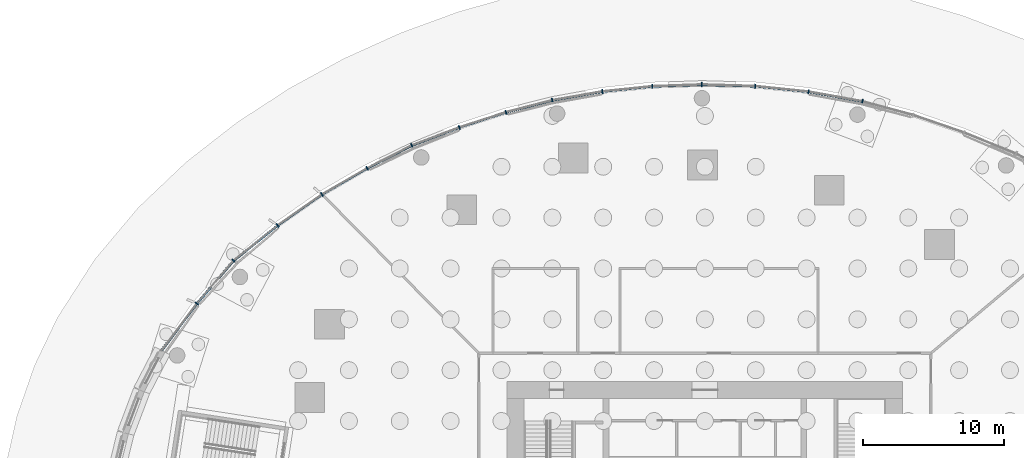
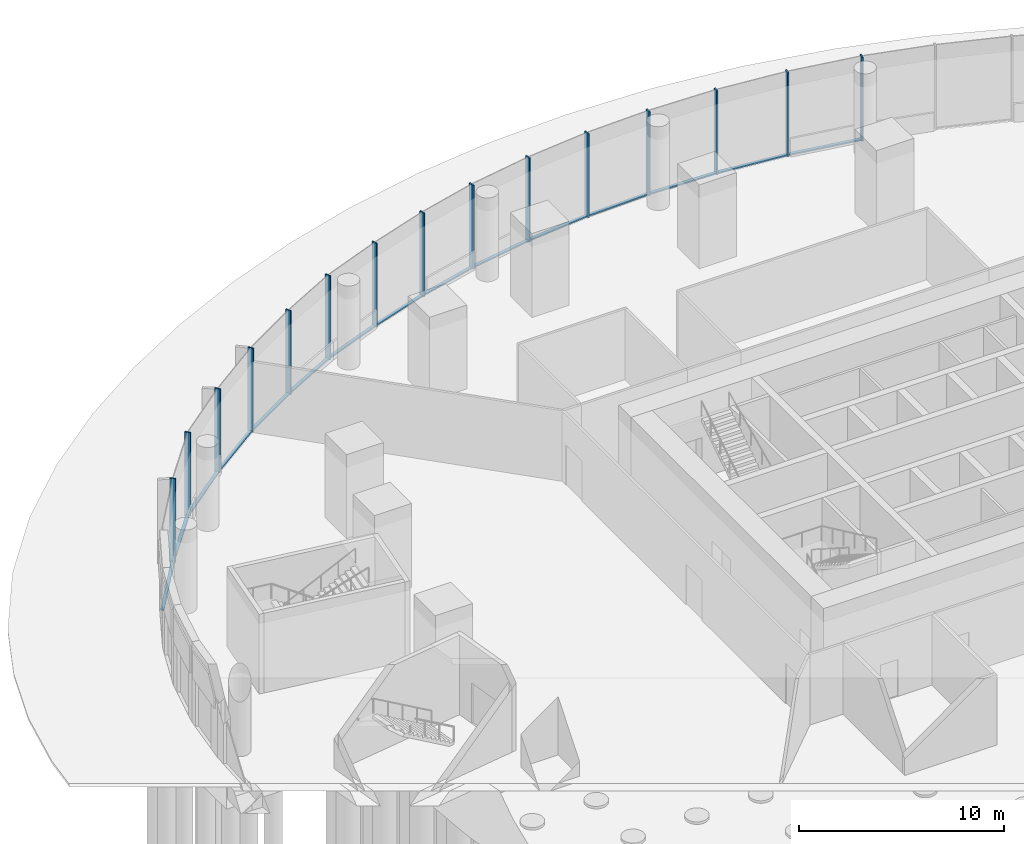
# One storey, part 5 of 29: 30 members, 5 elements without a shape of their own.
"""IFC4 building model written with IfcOpenShell, lengths in metres."""

import ifcopenshell
import ifcopenshell.guid

model = None  # the IFC model being written
_history = None  # IfcOwnerHistory: only IFC2X3 demands one
_inside = {}  # id of a spatial element -> (the spatial element, [elements in it])
_under = {}  # id of a project, library or spatial element -> (it, [spatial elements below it])
_declared = {}  # id of a project -> (the project, [libraries it declares])
_typed = {}  # id of a type object -> (the type object, [elements of that type])
_made_of = {}  # id of a material, layer set ... -> (it, [elements and type objects made of it])


def new_model(schema):
    """Start an empty IFC model of exactly this schema.

    Asked for "IFC4X3", IfcOpenShell would pick the latest addendum, in which some entities
    have other attributes; the version numbers below select the first issue.
    IFC2X3 requires an IfcOwnerHistory on every rooted entity: one is made here for all.
    """
    global model, _history
    if schema == "IFC4X3":
        model = ifcopenshell.file(schema_version=(4, 3, 0, 0))
    else:
        model = ifcopenshell.file(schema=schema)
    _inside.clear()
    _under.clear()
    _declared.clear()
    _typed.clear()
    _made_of.clear()
    _history = None
    if model.schema == "IFC2X3":
        org = make("IfcOrganization", Name="unknown")
        user = make(
            "IfcPersonAndOrganization",
            ThePerson=make("IfcPerson", FamilyName="unknown"),
            TheOrganization=org,
        )
        app = make(
            "IfcApplication",
            ApplicationDeveloper=org,
            Version="unknown",
            ApplicationFullName="unknown",
            ApplicationIdentifier="unknown",
        )
        _history = make(
            "IfcOwnerHistory",
            OwningUser=user,
            OwningApplication=app,
            ChangeAction="ADDED",
            CreationDate=0,
        )
    return model


def make(cls, **values):
    """One entity of the class cls with the attributes given. An attribute that is None is left unset."""
    return model.create_entity(
        cls, **{name: value for name, value in values.items() if value is not None}
    )


def rooted(cls, **values):
    """An entity with a GlobalId (a new one), such as an element, a storey or a relation."""
    return make(cls, GlobalId=ifcopenshell.guid.new(), OwnerHistory=_history, **values)


def si_unit(unit_type, name, prefix=None):
    """IfcSIUnit, for example si_unit("LENGTHUNIT", "METRE", prefix="MILLI")."""
    return make("IfcSIUnit", UnitType=unit_type, Prefix=prefix, Name=name)


def assignment(units):
    """IfcUnitAssignment: the units of a project."""
    return None if units is None else make("IfcUnitAssignment", Units=units)


def point(xyz):
    """IfcCartesianPoint."""
    return None if xyz is None else make("IfcCartesianPoint", Coordinates=xyz)


def direction(xyz):
    """IfcDirection."""
    return None if xyz is None else make("IfcDirection", DirectionRatios=xyz)


def frame(location, z_axis=None, x_axis=None):
    """IfcAxis2Placement3D, a coordinate frame: its origin and axes. An axis left out is left unset."""
    return make(
        "IfcAxis2Placement3D",
        Location=point(location),
        Axis=direction(z_axis),
        RefDirection=direction(x_axis),
    )


def frame_2d(location, x_axis=None):
    """IfcAxis2Placement2D, a coordinate frame in the plane: its origin and x axis."""
    return make(
        "IfcAxis2Placement2D", Location=point(location), RefDirection=direction(x_axis)
    )


def origin():
    """The frame at (0, 0, 0) with its axes left unset."""
    return frame((0.0, 0.0, 0.0))


def origin_2d():
    """The frame at (0, 0) in the plane with its x axis left unset."""
    return frame_2d((0.0, 0.0))


def place(relative_to, where):
    """IfcLocalPlacement: puts the frame where relative to a parent placement (None: the world)."""
    return make(
        "IfcLocalPlacement", PlacementRelTo=relative_to, RelativePlacement=where
    )


def context(
    kind, dimensions, precision=None, world=None, true_north=None, identifier=None
):
    """IfcGeometricRepresentationContext, for example the 3D "Model" context."""
    return make(
        "IfcGeometricRepresentationContext",
        ContextIdentifier=identifier,
        ContextType=kind,
        CoordinateSpaceDimension=dimensions,
        Precision=precision,
        WorldCoordinateSystem=world,
        TrueNorth=true_north,
    )


def subcontext(parent, identifier, kind, view, scale=None):
    """IfcGeometricRepresentationSubContext, for example "Body" below "Model"."""
    return make(
        "IfcGeometricRepresentationSubContext",
        ContextIdentifier=identifier,
        ContextType=kind,
        ParentContext=parent,
        TargetScale=scale,
        TargetView=view,
    )


def project(units=None, contexts=None):
    """IfcProject with its units and contexts."""
    return rooted(
        "IfcProject",
        Name="project",
        RepresentationContexts=contexts,
        UnitsInContext=assignment(units),
    )


def spatial(cls, under=None, at=None, **own):
    """A site, building, storey or space (cls), placed at a placement, below another one or the project."""
    s = rooted(cls, ObjectPlacement=at, **own)
    if under is not None:
        _under.setdefault(under.id(), (under, []))[1].append(s)
    return s


def profile(cls, at=None, kind="AREA", **sizes):
    """A parametric profile (cls). Its sizes go by their IFC names, for example OverallWidth=200.0."""
    return make(cls, ProfileType=kind, Position=at, **sizes)


def rectangle(**sizes):
    """IfcRectangleProfileDef."""
    return profile("IfcRectangleProfileDef", **sizes)


def extrude(swept, where, along, depth):
    """IfcExtrudedAreaSolid: the profile swept, set in the frame where, extruded along a direction by depth."""
    return make(
        "IfcExtrudedAreaSolid",
        SweptArea=swept,
        Position=where,
        ExtrudedDirection=direction(along),
        Depth=depth,
    )


def shape(context_of_items, identifier, shape_type, items):
    """IfcShapeRepresentation: the items that make up one representation, for example the "Body"."""
    return make(
        "IfcShapeRepresentation",
        ContextOfItems=context_of_items,
        RepresentationIdentifier=identifier,
        RepresentationType=shape_type,
        Items=items,
    )


def material(Name=None, Category=None):
    """IfcMaterial."""
    return make("IfcMaterial", Name=Name, Category=Category)


def material_profile(
    of_material, cross_section, Name=None, Category=None, Priority=None
):
    """IfcMaterialProfile: a cross section and its material."""
    return make(
        "IfcMaterialProfile",
        Name=Name,
        Material=of_material,
        Profile=cross_section,
        Priority=Priority,
        Category=Category,
    )


def profile_set(profiles, Name=None, composite=None):
    """IfcMaterialProfileSet."""
    return make(
        "IfcMaterialProfileSet",
        Name=Name,
        MaterialProfiles=profiles,
        CompositeProfile=composite,
    )


def made_of(thing, what):
    """Note that an element or type object is made of a material, layer set ...; save() writes the relation."""
    if what is not None:
        _made_of.setdefault(what.id(), (what, []))[1].append(thing)
    return thing


def type_object(cls, material=None, **own):
    """A type object (cls), such as IfcWallType, which elements share."""
    return made_of(rooted(cls, **own), material)


def element(
    cls,
    number,
    at=None,
    inside=None,
    cuts=None,
    type_object=None,
    material=None,
    context=None,
    identifier="Body",
    shape_type=None,
    held_by="IfcProductDefinitionShape",
    body=None,
    shapes=None,
    **own,
):
    """One element of the class cls, such as IfcWall. Its Tag is "e" and its number.

    at: its placement. inside: the storey or other place that contains it. cuts: it is an
    opening in that element (IfcRelVoidsElement). A single representation is given by context,
    identifier, shape_type and body (its items); several are given by shapes. held_by: the class
    of the entity that holds the representations. save() writes the other relations.
    """
    e = rooted(cls, Tag="e%d" % number, ObjectPlacement=at, **own)
    if body is not None:
        shapes = [shape(context, identifier, shape_type, body)]
    if shapes is not None:
        e.Representation = make(held_by, Representations=shapes)
    if inside is not None:
        _inside.setdefault(inside.id(), (inside, []))[1].append(e)
    if cuts is not None:
        rooted(
            "IfcRelVoidsElement", RelatingBuildingElement=cuts, RelatedOpeningElement=e
        )
    if type_object is not None:
        _typed.setdefault(type_object.id(), (type_object, []))[1].append(e)
    return made_of(e, material)


def aggregate(whole, parts):
    """IfcRelAggregates: a whole, such as a stair, and the parts it consists of."""
    return rooted("IfcRelAggregates", RelatingObject=whole, RelatedObjects=parts)


def save(model, path):
    """Write the relations noted so far, then the file.

    IfcRelAggregates (storeys below a building ...), IfcRelContainedInSpatialStructure (elements
    in a storey), IfcRelDefinesByType, IfcRelAssociatesMaterial and IfcRelDeclares: one each for
    every whole, place, type object, material and project.
    """
    for whole, parts in _under.values():
        aggregate(whole, parts)
    for where, things in _inside.values():
        rooted(
            "IfcRelContainedInSpatialStructure",
            RelatedElements=things,
            RelatingStructure=where,
        )
    for kind, things in _typed.values():
        rooted("IfcRelDefinesByType", RelatedObjects=things, RelatingType=kind)
    for what, things in _made_of.values():
        rooted("IfcRelAssociatesMaterial", RelatedObjects=things, RelatingMaterial=what)
    for by, libraries in _declared.values():
        rooted("IfcRelDeclares", RelatingContext=by, RelatedDefinitions=libraries)
    model.write(path)


model = new_model("IFC4")

# Units and contexts
model_context = context("Model", 3, precision=1e-05, world=origin(), true_north=direction((0.0, 1.0)))
body_context = subcontext(model_context, "Body", "Model", "MODEL_VIEW")
ifc_project = project(units=[si_unit("LENGTHUNIT", "METRE"), si_unit("AREAUNIT", "SQUARE_METRE"), si_unit("VOLUMEUNIT", "CUBIC_METRE"), si_unit("PLANEANGLEUNIT", "RADIAN"), si_unit("MASSUNIT", "GRAM", prefix="KILO")], contexts=[model_context])

# Site, building, storey
site_placement = place(None, origin())
site = spatial("IfcSite", under=ifc_project, at=site_placement, CompositionType="ELEMENT")
building_placement = place(site_placement, origin())
building = spatial("IfcBuilding", under=site, at=building_placement, Name="Ghaith Harvest Tower", CompositionType="ELEMENT")
storey_placement = place(building_placement, origin())
storey = spatial("IfcBuildingStorey", under=building, at=storey_placement, Name="L00", CompositionType="ELEMENT", Elevation=0.0)

# Curtain wall, members
ifc_material_1 = material(Name="Black anodised aluminium and fritted glass", Category="aluminium")
curtain_wall_type = type_object("IfcCurtainWallType", Name="CW-P CURTAIN WALL", PredefinedType="NOTDEFINED", material=ifc_material_1)
curtain_wall_1_placement = place(storey_placement, origin())
curtain_wall_1 = element("IfcCurtainWall", 1, at=curtain_wall_1_placement, inside=storey, type_object=curtain_wall_type, Name="Curtain wall CW-P bay 05 L00", PredefinedType="NOTDEFINED")
ifc_material_2 = material(Name="Aluminium, black anodised", Category="aluminium")
ifc_material_profile_1 = material_profile(ifc_material_2, rectangle(XDim=0.080078125, YDim=0.300048828125, at=origin_2d()), Name="CW-P MULLION 80x300")
ifc_profile_set_1 = profile_set([ifc_material_profile_1], Name="Aluminium, black anodised")
member_type_1 = type_object("IfcMemberType", Name="CW-P MULLION 80x300", PredefinedType="MULLION", material=ifc_profile_set_1)
member_1_placement = place(storey_placement, frame((11.15234375, 29.832275390625, 0.0), z_axis=(0.0, 0.0, 1.0), x_axis=(-0.975988069156, 0.217823985973, 0.0)))
member_1 = element("IfcMember", 2, at=member_1_placement, type_object=member_type_1, Name="CW-P mullion 1 bay 05 L00", PredefinedType="MULLION", context=body_context, shape_type="SweptSolid", body=[
    extrude(rectangle(XDim=0.080078125, YDim=0.300048828125, at=origin_2d()), origin(), (0.0, 0.0, 1.0), 5.0),
])
member_2_placement = place(storey_placement, frame((7.34521484375, 30.514404296875, 0.0), z_axis=(0.0, 0.0, 1.0), x_axis=(-0.990090087046, 0.140433683755, 0.0)))
member_2 = element("IfcMember", 3, at=member_2_placement, type_object=member_type_1, Name="CW-P mullion 2 bay 05 L00", PredefinedType="MULLION", context=body_context, shape_type="SweptSolid", body=[
    extrude(rectangle(XDim=0.080078125, YDim=0.300048828125, at=origin_2d()), origin(), (0.0, 0.0, 1.0), 5.0),
])
member_3_placement = place(storey_placement, frame((3.560546875, 30.908935546875, 0.0), z_axis=(0.0, 0.0, 1.0), x_axis=(-0.997771996007, 0.066716144852, 0.0)))
member_3 = element("IfcMember", 4, at=member_3_placement, type_object=member_type_1, Name="CW-P mullion 3 bay 05 L00", PredefinedType="MULLION", context=body_context, shape_type="SweptSolid", body=[
    extrude(rectangle(XDim=0.080078125, YDim=0.300048828125, at=origin_2d()), origin(), (0.0, 0.0, 1.0), 5.0),
])

curtain_wall_2_placement = place(storey_placement, origin())
curtain_wall_2 = element("IfcCurtainWall", 5, at=curtain_wall_2_placement, inside=storey, type_object=curtain_wall_type, Name="Curtain wall CW-P bay 06 L00", PredefinedType="NOTDEFINED")
member_4_placement = place(storey_placement, frame((-0.21240234375, 31.019775390625, 0.0), z_axis=(0.0, 0.0, 1.0), x_axis=(-0.999998805287, -0.001545776643, 0.0)))
member_4 = element("IfcMember", 6, at=member_4_placement, type_object=member_type_1, Name="CW-P mullion 1 bay 06 L00", PredefinedType="MULLION", context=body_context, shape_type="SweptSolid", body=[
    extrude(rectangle(XDim=0.080078125, YDim=0.300048828125, at=origin_2d()), origin(), (0.0, 0.0, 1.0), 5.0),
])
member_5_placement = place(storey_placement, frame((-3.728515625, 30.897705078125, 0.0), z_axis=(0.0, 0.0, 1.0), x_axis=(-0.997563976527, -0.069757528158, 0.0)))
member_5 = element("IfcMember", 7, at=member_5_placement, type_object=member_type_1, Name="CW-P mullion 2 bay 06 L00", PredefinedType="MULLION", context=body_context, shape_type="SweptSolid", body=[
    extrude(rectangle(XDim=0.080078125, YDim=0.300048828125, at=origin_2d()), origin(), (0.0, 0.0, 1.0), 5.0),
])
member_6_placement = place(storey_placement, frame((-7.255615234375, 30.527099609375, 0.0), z_axis=(0.0, 0.0, 1.0), x_axis=(-0.990385532567, -0.138334727678, 0.0)))
member_6 = element("IfcMember", 8, at=member_6_placement, type_object=member_type_1, Name="CW-P mullion 3 bay 06 L00", PredefinedType="MULLION", context=body_context, shape_type="SweptSolid", body=[
    extrude(rectangle(XDim=0.080078125, YDim=0.300048828125, at=origin_2d()), origin(), (0.0, 0.0, 1.0), 5.0),
])

curtain_wall_3_placement = place(storey_placement, origin())
curtain_wall_3 = element("IfcCurtainWall", 9, at=curtain_wall_3_placement, inside=storey, type_object=curtain_wall_type, Name="Curtain wall CW-P bay 07 L00", PredefinedType="NOTDEFINED")
member_7_placement = place(storey_placement, frame((-10.802734375, 29.90966796875, 0.0), z_axis=(0.0, 0.0, 1.0), x_axis=(-0.97763881299, -0.21029111093, 0.0)))
member_7 = element("IfcMember", 10, at=member_7_placement, type_object=member_type_1, Name="CW-P mullion 1 bay 07 L00", PredefinedType="MULLION", context=body_context, shape_type="SweptSolid", body=[
    extrude(rectangle(XDim=0.080078125, YDim=0.300048828125, at=origin_2d()), origin(), (0.0, 0.0, 1.0), 5.0),
])
member_8_placement = place(storey_placement, frame((-14.079345703125, 29.059326171875, 0.0), z_axis=(0.0, 0.0, 1.0), x_axis=(-0.959733294702, -0.280912803269, 0.0)))
member_8 = element("IfcMember", 11, at=member_8_placement, type_object=member_type_1, Name="CW-P mullion 2 bay 07 L00", PredefinedType="MULLION", context=body_context, shape_type="SweptSolid", body=[
    extrude(rectangle(XDim=0.080078125, YDim=0.300048828125, at=origin_2d()), origin(), (0.0, 0.0, 1.0), 5.0),
])
member_9_placement = place(storey_placement, frame((-17.3798828125, 27.984619140625, 0.0), z_axis=(0.0, 0.0, 1.0), x_axis=(-0.94334262974, -0.331820256939, 0.0)))
member_9 = element("IfcMember", 12, at=member_9_placement, type_object=member_type_1, Name="CW-P mullion 3 bay 07 L00", PredefinedType="MULLION", context=body_context, shape_type="SweptSolid", body=[
    extrude(rectangle(XDim=0.080078125, YDim=0.300048828125, at=origin_2d()), origin(), (0.0, 0.0, 1.0), 5.0),
])

curtain_wall_4_placement = place(storey_placement, origin())
curtain_wall_4 = element("IfcCurtainWall", 13, at=curtain_wall_4_placement, inside=storey, type_object=curtain_wall_type, Name="Curtain wall CW-P bay 08 L00", PredefinedType="NOTDEFINED")
member_10_placement = place(storey_placement, frame((-20.7470703125, 26.714111328125, 0.0), z_axis=(0.0, 0.0, 1.0), x_axis=(-0.914421812296, -0.404762583741, 0.0)))
member_10 = element("IfcMember", 14, at=member_10_placement, type_object=member_type_1, Name="CW-P mullion 1 bay 08 L00", PredefinedType="MULLION", context=body_context, shape_type="SweptSolid", body=[
    extrude(rectangle(XDim=0.080078125, YDim=0.300048828125, at=origin_2d()), origin(), (0.0, 0.0, 1.0), 5.0),
])
member_11_placement = place(storey_placement, frame((-23.907958984375, 25.094970703125, 0.0), z_axis=(0.0, 0.0, 1.0), x_axis=(-0.877556447105, -0.479473338304, 0.0)))
member_11 = element("IfcMember", 15, at=member_11_placement, type_object=member_type_1, Name="CW-P mullion 2 bay 08 L00", PredefinedType="MULLION", context=body_context, shape_type="SweptSolid", body=[
    extrude(rectangle(XDim=0.080078125, YDim=0.300048828125, at=origin_2d()), origin(), (0.0, 0.0, 1.0), 5.0),
])
member_12_placement = place(storey_placement, frame((-27.105712890625, 23.23974609375, 0.0), z_axis=(0.0, 0.0, 1.0), x_axis=(-0.842539326136, -0.538634833551, 0.0)))
member_12 = element("IfcMember", 16, at=member_12_placement, type_object=member_type_1, Name="CW-P mullion 3 bay 08 L00", PredefinedType="MULLION", context=body_context, shape_type="SweptSolid", body=[
    extrude(rectangle(XDim=0.080078125, YDim=0.300048828125, at=origin_2d()), origin(), (0.0, 0.0, 1.0), 5.0),
])

curtain_wall_5_placement = place(storey_placement, origin())
curtain_wall_5 = element("IfcCurtainWall", 17, at=curtain_wall_5_placement, inside=storey, type_object=curtain_wall_type, Name="Curtain wall CW-P bay 09 L00", PredefinedType="NOTDEFINED")
member_13_placement = place(storey_placement, frame((-30.244140625, 21.044189453125, 0.0), z_axis=(0.0, 0.0, 1.0), x_axis=(-0.801048242274, -0.598599794144, 0.0)))
member_13 = element("IfcMember", 18, at=member_13_placement, type_object=member_type_1, Name="CW-P mullion 1 bay 09 L00", PredefinedType="MULLION", context=body_context, shape_type="SweptSolid", body=[
    extrude(rectangle(XDim=0.080078125, YDim=0.300048828125, at=origin_2d()), origin(), (0.0, 0.0, 1.0), 5.0),
])
member_14_placement = place(storey_placement, frame((-33.369384765625, 18.559326171875, 0.0), z_axis=(0.0, 0.0, 1.0), x_axis=(-0.719189125668, -0.694814364792, 0.0)))
member_14 = element("IfcMember", 19, at=member_14_placement, type_object=member_type_1, Name="CW-P mullion 2 bay 09 L00", PredefinedType="MULLION", context=body_context, shape_type="SweptSolid", body=[
    extrude(rectangle(XDim=0.080078125, YDim=0.300048828125, at=origin_2d()), origin(), (0.0, 0.0, 1.0), 5.0),
])
member_15_placement = place(storey_placement, frame((-35.967529296875, 15.5146484375, 0.0), z_axis=(0.0, 0.0, 1.0), x_axis=(-0.625229278886, -0.780441124509, 0.0)))
member_15 = element("IfcMember", 20, at=member_15_placement, type_object=member_type_1, Name="CW-P mullion 3 bay 09 L00", PredefinedType="MULLION", context=body_context, shape_type="SweptSolid", body=[
    extrude(rectangle(XDim=0.080078125, YDim=0.300048828125, at=origin_2d()), origin(), (0.0, 0.0, 1.0), 5.0),
])

# Member
ifc_material_3 = material(Name="Aluminium, black anodised", Category="aluminium")
ifc_material_profile_2 = material_profile(ifc_material_3, rectangle(XDim=0.179931640625, YDim=0.080078125, at=origin_2d()), Name="CW-P TRANSOM 180x80")
ifc_profile_set_2 = profile_set([ifc_material_profile_2], Name="Aluminium, black anodised")
member_type_2 = type_object("IfcMemberType", Name="CW-P TRANSOM 180x80", PredefinedType="USERDEFINED", material=ifc_profile_set_2)
member_16_placement = place(storey_placement, frame((11.113037109375, 29.83935546875, 0.0400390625), z_axis=(-0.98432862906, 0.176343840303, 0.0), x_axis=(-0.176343840303, -0.98432862906, 0.0)))
member_16 = element("IfcMember", 21, at=member_16_placement, type_object=member_type_2, Name="CW-P transom 1 bay 05 L00", ObjectType="TRANSOM", PredefinedType="USERDEFINED", context=body_context, shape_type="SweptSolid", body=[
    extrude(rectangle(XDim=0.179931640625, YDim=0.080078125, at=origin_2d()), origin(), (0.0, 0.0, 1.0), 3.787841796875),
])

member_17_placement = place(storey_placement, frame((7.305419921875, 30.5185546875, 0.0400390625), z_axis=(-0.994610526776, 0.103681724655, 0.0), x_axis=(-0.103681724655, -0.994610526776, 0.0)))
member_17 = element("IfcMember", 22, at=member_17_placement, type_object=member_type_2, Name="CW-P transom 2 bay 05 L00", ObjectType="TRANSOM", PredefinedType="USERDEFINED", context=body_context, shape_type="SweptSolid", body=[
    extrude(rectangle(XDim=0.179931640625, YDim=0.080078125, at=origin_2d()), origin(), (0.0, 0.0, 1.0), 3.72509765625),
])

member_18_placement = place(storey_placement, frame((3.5205078125, 30.91015625, 0.0400390625), z_axis=(-0.999569466238, 0.029340793535, 0.0), x_axis=(-0.029340793535, -0.999569466238, 0.0)))
member_18 = element("IfcMember", 23, at=member_18_placement, type_object=member_type_2, Name="CW-P transom 3 bay 05 L00", ObjectType="TRANSOM", PredefinedType="USERDEFINED", context=body_context, shape_type="SweptSolid", body=[
    extrude(rectangle(XDim=0.179931640625, YDim=0.080078125, at=origin_2d()), origin(), (0.0, 0.0, 1.0), 3.694580078125),
])

aggregate(curtain_wall_1, [member_1, member_16, member_2, member_17, member_3, member_18])

member_19_placement = place(storey_placement, frame((-0.252197265625, 31.018310546875, 0.0400390625), z_axis=(-0.999399573499, -0.034648123889, 0.0), x_axis=(0.034648123889, -0.999399573499, 0.0)))
member_19 = element("IfcMember", 24, at=member_19_placement, type_object=member_type_2, Name="CW-P transom 1 bay 06 L00", ObjectType="TRANSOM", PredefinedType="USERDEFINED", context=body_context, shape_type="SweptSolid", body=[
    extrude(rectangle(XDim=0.179931640625, YDim=0.080078125, at=origin_2d()), origin(), (0.0, 0.0, 1.0), 3.4384765625),
])

member_20_placement = place(storey_placement, frame((-3.768310546875, 30.8935546875, 0.0400390625), z_axis=(-0.994523190506, -0.104516140125, 0.0), x_axis=(0.104516140125, -0.994523190506, 0.0)))
member_20 = element("IfcMember", 25, at=member_20_placement, type_object=member_type_2, Name="CW-P transom 2 bay 06 L00", ObjectType="TRANSOM", PredefinedType="USERDEFINED", context=body_context, shape_type="SweptSolid", body=[
    extrude(rectangle(XDim=0.179931640625, YDim=0.080078125, at=origin_2d()), origin(), (0.0, 0.0, 1.0), 3.466552734375),
])

member_21_placement = place(storey_placement, frame((-7.294921875, 30.520263671875, 0.0400390625), z_axis=(-0.985183747241, -0.171502140429, 0.0), x_axis=(0.171502140429, -0.985183747241, 0.0)))
member_21 = element("IfcMember", 26, at=member_21_placement, type_object=member_type_2, Name="CW-P transom 3 bay 06 L00", ObjectType="TRANSOM", PredefinedType="USERDEFINED", context=body_context, shape_type="SweptSolid", body=[
    extrude(rectangle(XDim=0.179931640625, YDim=0.080078125, at=origin_2d()), origin(), (0.0, 0.0, 1.0), 3.5205078125),
])

aggregate(curtain_wall_2, [member_4, member_19, member_5, member_20, member_6, member_21])

member_22_placement = place(storey_placement, frame((-10.84130859375, 29.899658203125, 0.0400390625), z_axis=(-0.967935730802, -0.251197971801, 0.0), x_axis=(0.251197971801, -0.967935730802, 0.0)))
member_22 = element("IfcMember", 27, at=member_22_placement, type_object=member_type_2, Name="CW-P transom 1 bay 07 L00", ObjectType="TRANSOM", PredefinedType="USERDEFINED", context=body_context, shape_type="SweptSolid", body=[
    extrude(rectangle(XDim=0.179931640625, YDim=0.080078125, at=origin_2d()), origin(), (0.0, 0.0, 1.0), 3.305419921875),
])

member_23_placement = place(storey_placement, frame((-14.117431640625, 29.046875, 0.0400390625), z_axis=(-0.950870445698, -0.309589075225, 0.0), x_axis=(0.309589075225, -0.950870445698, 0.0)))
member_23 = element("IfcMember", 28, at=member_23_placement, type_object=member_type_2, Name="CW-P transom 2 bay 07 L00", ObjectType="TRANSOM", PredefinedType="USERDEFINED", context=body_context, shape_type="SweptSolid", body=[
    extrude(rectangle(XDim=0.179931640625, YDim=0.080078125, at=origin_2d()), origin(), (0.0, 0.0, 1.0), 3.390869140625),
])

member_24_placement = place(storey_placement, frame((-17.417236328125, 27.970458984375, 0.0400390625), z_axis=(-0.935603016094, -0.353053814986, 0.0), x_axis=(0.353053814986, -0.935603016094, 0.0)))
member_24 = element("IfcMember", 29, at=member_24_placement, type_object=member_type_2, Name="CW-P transom 3 bay 07 L00", ObjectType="TRANSOM", PredefinedType="USERDEFINED", context=body_context, shape_type="SweptSolid", body=[
    extrude(rectangle(XDim=0.179931640625, YDim=0.080078125, at=origin_2d()), origin(), (0.0, 0.0, 1.0), 3.51904296875),
])

aggregate(curtain_wall_3, [member_7, member_22, member_8, member_23, member_9, member_24])

member_25_placement = place(storey_placement, frame((-20.78271484375, 26.69580078125, 0.0400390625), z_axis=(-0.890024573392, -0.455912556044, 0.0), x_axis=(0.455912556044, -0.890024573392, 0.0)))
member_25 = element("IfcMember", 30, at=member_25_placement, type_object=member_type_2, Name="CW-P transom 1 bay 08 L00", ObjectType="TRANSOM", PredefinedType="USERDEFINED", context=body_context, shape_type="SweptSolid", body=[
    extrude(rectangle(XDim=0.179931640625, YDim=0.080078125, at=origin_2d()), origin(), (0.0, 0.0, 1.0), 3.4716796875),
])

member_26_placement = place(storey_placement, frame((-23.942626953125, 25.07470703125, 0.0400390625), z_axis=(-0.864976107241, -0.501813046764, 0.0), x_axis=(0.501813046764, -0.864976107241, 0.0)))
member_26 = element("IfcMember", 31, at=member_26_placement, type_object=member_type_2, Name="CW-P transom 2 bay 08 L00", ObjectType="TRANSOM", PredefinedType="USERDEFINED", context=body_context, shape_type="SweptSolid", body=[
    extrude(rectangle(XDim=0.179931640625, YDim=0.080078125, at=origin_2d()), origin(), (0.0, 0.0, 1.0), 3.61669921875),
])

member_27_placement = place(storey_placement, frame((-27.138427734375, 23.216796875, 0.0400390625), z_axis=(-0.819412324627, -0.573204537883, 0.0), x_axis=(0.573204537883, -0.819412324627, 0.0)))
member_27 = element("IfcMember", 32, at=member_27_placement, type_object=member_type_2, Name="CW-P transom 3 bay 08 L00", ObjectType="TRANSOM", PredefinedType="USERDEFINED", context=body_context, shape_type="SweptSolid", body=[
    extrude(rectangle(XDim=0.179931640625, YDim=0.080078125, at=origin_2d()), origin(), (0.0, 0.0, 1.0), 3.750244140625),
])

aggregate(curtain_wall_4, [member_10, member_25, member_11, member_26, member_12, member_27])

member_28_placement = place(storey_placement, frame((-30.275634765625, 21.019287109375, 0.0400390625), z_axis=(-0.782703993378, -0.622394134573, 0.0), x_axis=(0.622394134573, -0.782703993378, 0.0)))
member_28 = element("IfcMember", 33, at=member_28_placement, type_object=member_type_2, Name="CW-P transom 1 bay 09 L00", ObjectType="TRANSOM", PredefinedType="USERDEFINED", context=body_context, shape_type="SweptSolid", body=[
    extrude(rectangle(XDim=0.179931640625, YDim=0.080078125, at=origin_2d()), origin(), (0.0, 0.0, 1.0), 3.912353515625),
])

member_29_placement = place(storey_placement, frame((-33.395263671875, 18.52880859375, 0.0400390625), z_axis=(-0.649170170726, -0.760643207713, 0.0), x_axis=(0.760643207713, -0.649170170726, 0.0)))
member_29 = element("IfcMember", 34, at=member_29_placement, type_object=member_type_2, Name="CW-P transom 2 bay 09 L00", ObjectType="TRANSOM", PredefinedType="USERDEFINED", context=body_context, shape_type="SweptSolid", body=[
    extrude(rectangle(XDim=0.179931640625, YDim=0.080078125, at=origin_2d()), origin(), (0.0, 0.0, 1.0), 3.922607421875),
])

member_30_placement = place(storey_placement, frame((-35.99169921875, 15.482666015625, 0.0400390625), z_axis=(-0.60162496656, -0.798778692512, 0.0), x_axis=(0.798778692512, -0.60162496656, 0.0)))
member_30 = element("IfcMember", 35, at=member_30_placement, type_object=member_type_2, Name="CW-P transom 3 bay 09 L00", ObjectType="TRANSOM", PredefinedType="USERDEFINED", context=body_context, shape_type="SweptSolid", body=[
    extrude(rectangle(XDim=0.179931640625, YDim=0.080078125, at=origin_2d()), origin(), (0.0, 0.0, 1.0), 4.107421875),
])

aggregate(curtain_wall_5, [member_13, member_28, member_14, member_29, member_15, member_30])

save(model, "model.ifc")
